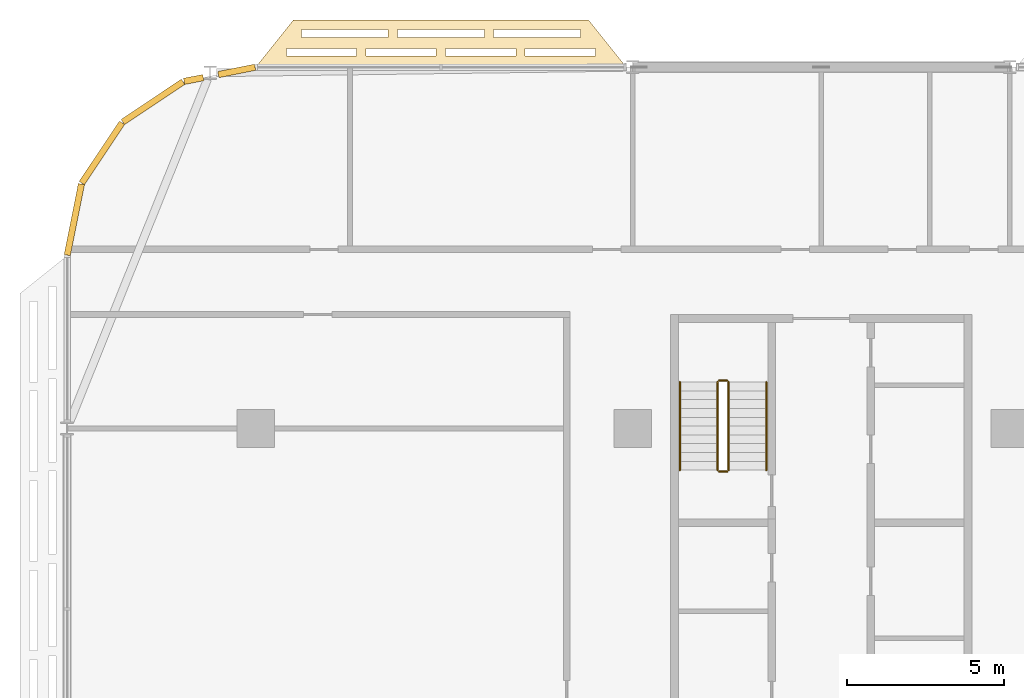
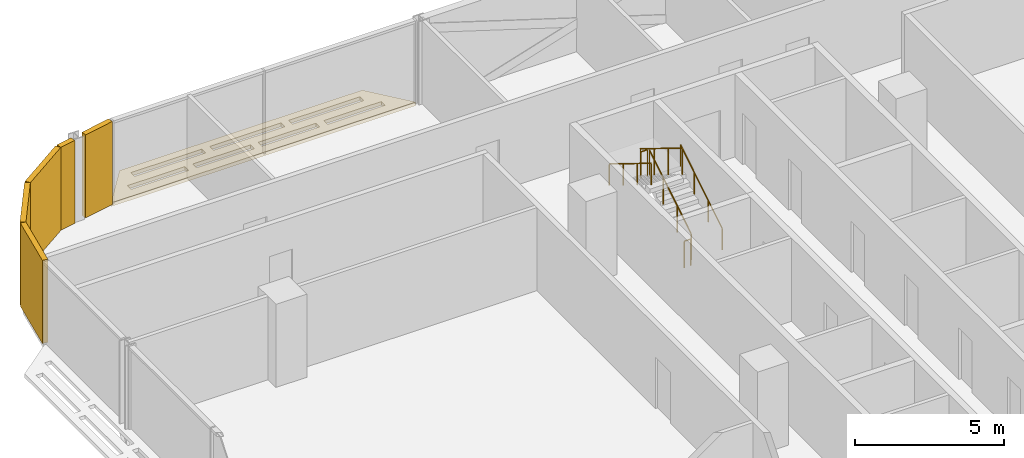
# One storey, part 25 of 28: 6 coverings, 6 railings.
"""IFC4 building model written with IfcOpenShell, lengths in metres."""

from ifc_helpers import new_model, si_unit, direction, frame, origin, origin_2d, place, context, subcontext, project, spatial, polyline, rectangle, circle, outline, extrude, material, layer, layer_set, type_object, element, save


model = new_model("IFC4")

# Units and contexts
model_context = context("Model", 3, precision=1e-05, world=origin(), true_north=direction((0.0, 1.0)))
body_context = subcontext(model_context, "Body", "Model", "MODEL_VIEW")
ifc_project = project(units=[si_unit("LENGTHUNIT", "METRE"), si_unit("AREAUNIT", "SQUARE_METRE"), si_unit("VOLUMEUNIT", "CUBIC_METRE"), si_unit("PLANEANGLEUNIT", "RADIAN"), si_unit("MASSUNIT", "GRAM", prefix="KILO")], contexts=[model_context])

# Site, building, storey
site_placement = place(None, origin())
site = spatial("IfcSite", under=ifc_project, at=site_placement, CompositionType="ELEMENT")
building_placement = place(site_placement, origin())
building = spatial("IfcBuilding", under=site, at=building_placement, Name="Mahtab Terrace Research Tower", CompositionType="ELEMENT")
storey_placement = place(building_placement, frame((0.0, 0.0, 185.800048828125)))
storey = spatial("IfcBuildingStorey", under=building, at=storey_placement, Name="L44", CompositionType="ELEMENT", Elevation=185.800048828125)

# Coverings
ifc_material_1 = material(Name="Black aluminium cladding panel", Category="aluminium")
ifc_layer_1 = layer(ifc_material_1, 0.199951171875)
ifc_layer_set_1 = layer_set([ifc_layer_1], Name="Black metal corner cladding 200")
covering_type_1 = type_object("IfcCoveringType", Name="Black metal corner cladding 200", PredefinedType="CLADDING", material=ifc_layer_set_1)
covering_1_placement = place(storey_placement, frame((-42.603271484375, 22.8798828125, 0.0), z_axis=(0.0, 0.0, 1.0), x_axis=(-0.980760981187, -0.195212442692, 0.0)))
element("IfcCovering", 1, at=covering_1_placement, inside=storey, type_object=covering_type_1, Name="Corner cladding L44 10", PredefinedType="CLADDING", context=body_context, shape_type="SweptSolid", body=[
    extrude(rectangle(XDim=1.1904296875, YDim=0.199951171875, at=origin_2d()), origin(), (0.0, 0.0, 1.0), 3.39990234375),
])
covering_2_placement = place(storey_placement, frame((-43.9716796875, 22.607666015625, 0.0), z_axis=(0.0, 0.0, 1.0), x_axis=(-0.980760981187, -0.195212442692, 0.0)))
element("IfcCovering", 2, at=covering_2_placement, inside=storey, type_object=covering_type_1, Name="Corner cladding L44 11", PredefinedType="CLADDING", context=body_context, shape_type="SweptSolid", body=[
    extrude(rectangle(XDim=0.62158203125, YDim=0.199951171875, at=origin_2d()), origin(), (0.0, 0.0, 1.0), 3.39990234375),
])
for number, where, z_axis, x_axis, name in (
    (3, (-45.26953125, 21.89306640625, 0.0), (0.0, 0.0, 1.0), (-0.831655794326, -0.555291490808, 0.0), "Corner cladding L44 12"),
    (4, (-46.89306640625, 20.26953125, 0.0), (0.0, 0.0, 1.0), (-0.555291490808, -0.831655794326, 0.0), "Corner cladding L44 13"),
    (5, (-47.771484375, 18.14794921875, 0.0), (0.0, 0.0, 1.0), (-0.195212442692, -0.980760981187, 0.0), "Corner cladding L44 14"),
):
    element("IfcCovering", number, at=place(storey_placement, frame(where, z_axis=z_axis, x_axis=x_axis)), inside=storey, type_object=covering_type_1, Name=name, PredefinedType="CLADDING", context=body_context, shape_type="SweptSolid", body=[
        extrude(rectangle(XDim=2.30126953125, YDim=0.199951171875, at=origin_2d()), origin(), (0.0, 0.0, 1.0), 3.39990234375),
    ])
ifc_material_2 = material(Name="Black anodised aluminium", Category="aluminium")
ifc_layer_2 = layer(ifc_material_2, 0.14990234375)
ifc_layer_set_2 = layer_set([ifc_layer_2], Name="Horizontal sunshade band")
covering_type_2 = type_object("IfcCoveringType", Name="Horizontal sunshade band", PredefinedType="CLADDING", material=ifc_layer_set_2)
covering_3_placement = place(storey_placement, frame((0.0, 0.0, -0.150146484375)))
element("IfcCovering", 6, at=covering_3_placement, inside=storey, type_object=covering_type_2, Name="Sunshade band L44 9", PredefinedType="CLADDING", context=body_context, shape_type="SweptSolid", body=[
    extrude(outline(polyline([(-30.2080078125, 23.0), (-42.0, 23.0), (-40.800048828125, 24.5), (-31.407958984375, 24.5), (-30.2080078125, 23.0)]), holes=[polyline([(-31.18798828125, 23.35009765625), (-33.4208984375, 23.35009765625), (-33.4208984375, 23.60009765625), (-31.18798828125, 23.60009765625), (-31.18798828125, 23.35009765625)]), polyline([(-33.720947265625, 23.35009765625), (-35.9541015625, 23.35009765625), (-35.9541015625, 23.60009765625), (-33.720947265625, 23.60009765625), (-33.720947265625, 23.35009765625)]), polyline([(-36.25390625, 23.35009765625), (-38.487060546875, 23.35009765625), (-38.487060546875, 23.60009765625), (-36.25390625, 23.60009765625), (-36.25390625, 23.35009765625)]), polyline([(-38.787109375, 23.35009765625), (-41.02001953125, 23.35009765625), (-41.02001953125, 23.60009765625), (-38.787109375, 23.60009765625), (-38.787109375, 23.35009765625)]), polyline([(-31.66796875, 23.949951171875), (-34.425048828125, 23.949951171875), (-34.425048828125, 24.199951171875), (-31.66796875, 24.199951171875), (-31.66796875, 23.949951171875)]), polyline([(-34.72509765625, 23.949951171875), (-37.48291015625, 23.949951171875), (-37.48291015625, 24.199951171875), (-34.72509765625, 24.199951171875), (-34.72509765625, 23.949951171875)]), polyline([(-37.782958984375, 23.949951171875), (-40.5400390625, 23.949951171875), (-40.5400390625, 24.199951171875), (-37.782958984375, 24.199951171875), (-37.782958984375, 23.949951171875)])]), origin(), (0.0, 0.0, 1.0), 0.150146484375),
])

# Railings
ifc_material_3 = material(Name="Stainless steel AISI 304", Category="steel")
railing_type_1 = type_object("IfcRailingType", Name="Stair guard 1100", PredefinedType="GUARDRAIL", material=ifc_material_3)
railing_1_placement = place(storey_placement, frame((-26.949951171875, 10.175048828125, 0.172607421875)))
element("IfcRailing", 7, at=railing_1_placement, inside=storey, type_object=railing_type_1, Name="L44 ST1 stair guard 1", PredefinedType="GUARDRAIL", context=body_context, shape_type="SweptSolid", body=[
    extrude(circle(Radius=0.02392578125, at=origin_2d()), frame((0.0, 0.0, 1.076171875), z_axis=(0.0, 0.851089632645, 0.525020415988), x_axis=(-1.0, 0.0, 0.0)), (0.0, 0.0, 1.0), 3.2900390625),
    extrude(circle(Radius=0.02099609375, at=origin_2d()), origin(), (0.0, 0.0, 1.0), 1.052001953125),
    extrude(circle(Radius=0.02099609375, at=origin_2d()), frame((0.0, 0.933349609375, 0.57568359375)), (0.0, 0.0, 1.0), 1.052001953125),
    extrude(circle(Radius=0.02099609375, at=origin_2d()), frame((0.0, 1.86669921875, 1.151611328125)), (0.0, 0.0, 1.0), 1.052001953125),
    extrude(circle(Radius=0.02099609375, at=origin_2d()), frame((0.0, 2.800048828125, 1.727294921875)), (0.0, 0.0, 1.0), 1.052001953125),
])
railing_2_placement = place(storey_placement, frame((-27.0, 13.02490234375, 1.89990234375)))
element("IfcRailing", 8, at=railing_2_placement, inside=storey, type_object=railing_type_1, Name="L44 ST1 stair guard 2", PredefinedType="GUARDRAIL", context=body_context, shape_type="SweptSolid", body=[
    extrude(circle(Radius=0.02392578125, at=origin_2d()), frame((0.0, 0.0, 1.076171875), z_axis=(-1.0, 0.0, 0.0), x_axis=(0.0, -1.0, 0.0)), (0.0, 0.0, 1.0), 0.25),
    extrude(circle(Radius=0.02099609375, at=origin_2d()), origin(), (0.0, 0.0, 1.0), 1.052001953125),
    extrude(circle(Radius=0.02099609375, at=origin_2d()), frame((-0.25, 0.0, 0.0)), (0.0, 0.0, 1.0), 1.052001953125),
])
railing_3_placement = place(storey_placement, frame((-27.300048828125, 12.97509765625, 2.07275390625)))
element("IfcRailing", 9, at=railing_3_placement, inside=storey, type_object=railing_type_1, Name="L44 ST1 stair guard 3", PredefinedType="GUARDRAIL", context=body_context, shape_type="SweptSolid", body=[
    extrude(circle(Radius=0.02392578125, at=origin_2d()), frame((0.0, 0.0, 1.076171875), z_axis=(0.0, -0.851089632645, 0.525020415988), x_axis=(1.0, 0.0, 0.0)), (0.0, 0.0, 1.0), 3.2900390625),
    extrude(circle(Radius=0.02099609375, at=origin_2d()), origin(), (0.0, 0.0, 1.0), 1.052001953125),
    extrude(circle(Radius=0.02099609375, at=origin_2d()), frame((0.0, -0.933349609375, 0.57568359375)), (0.0, 0.0, 1.0), 1.052001953125),
    extrude(circle(Radius=0.02099609375, at=origin_2d()), frame((0.0, -1.86669921875, 1.151611328125)), (0.0, 0.0, 1.0), 1.052001953125),
    extrude(circle(Radius=0.02099609375, at=origin_2d()), frame((0.0, -2.800048828125, 1.727294921875)), (0.0, 0.0, 1.0), 1.052001953125),
])
railing_4_placement = place(storey_placement, frame((-27.0, 10.125, 0.0)))
element("IfcRailing", 10, at=railing_4_placement, inside=storey, type_object=railing_type_1, Name="L44 ST1 stair guard 4", PredefinedType="GUARDRAIL", context=body_context, shape_type="SweptSolid", body=[
    extrude(circle(Radius=0.02392578125, at=origin_2d()), frame((0.0, 0.0, 1.076171875), z_axis=(-1.0, 0.0, 0.0), x_axis=(0.0, -1.0, 0.0)), (0.0, 0.0, 1.0), 0.25),
    extrude(circle(Radius=0.02099609375, at=origin_2d()), origin(), (0.0, 0.0, 1.0), 1.052001953125),
    extrude(circle(Radius=0.02099609375, at=origin_2d()), frame((-0.25, 0.0, 0.0)), (0.0, 0.0, 1.0), 1.052001953125),
])
railing_type_2 = type_object("IfcRailingType", Name="Stair handrail 900", PredefinedType="HANDRAIL", material=ifc_material_3)
railing_5_placement = place(storey_placement, frame((-25.75, 10.175048828125, 0.172607421875)))
element("IfcRailing", 11, at=railing_5_placement, inside=storey, type_object=railing_type_2, Name="L44 ST1 stair handrail 1", PredefinedType="HANDRAIL", context=body_context, shape_type="SweptSolid", body=[
    extrude(circle(Radius=0.02392578125, at=origin_2d()), frame((0.0, 0.0, 0.8759765625), z_axis=(0.0, 0.851089632645, 0.525020415988), x_axis=(-1.0, 0.0, 0.0)), (0.0, 0.0, 1.0), 3.2900390625),
    extrude(circle(Radius=0.02099609375, at=origin_2d()), origin(), (0.0, 0.0, 1.0), 0.851806640625),
    extrude(circle(Radius=0.02099609375, at=origin_2d()), frame((0.0, 0.933349609375, 0.57568359375)), (0.0, 0.0, 1.0), 0.851806640625),
    extrude(circle(Radius=0.02099609375, at=origin_2d()), frame((0.0, 1.86669921875, 1.151611328125)), (0.0, 0.0, 1.0), 0.851806640625),
    extrude(circle(Radius=0.02099609375, at=origin_2d()), frame((0.0, 2.800048828125, 1.727294921875)), (0.0, 0.0, 1.0), 0.851806640625),
])
railing_6_placement = place(storey_placement, frame((-28.5, 12.97509765625, 2.07275390625)))
element("IfcRailing", 12, at=railing_6_placement, inside=storey, type_object=railing_type_2, Name="L44 ST1 stair handrail 2", PredefinedType="HANDRAIL", context=body_context, shape_type="SweptSolid", body=[
    extrude(circle(Radius=0.02392578125, at=origin_2d()), frame((0.0, 0.0, 0.8759765625), z_axis=(0.0, -0.851089632645, 0.525020415988), x_axis=(1.0, 0.0, 0.0)), (0.0, 0.0, 1.0), 3.2900390625),
    extrude(circle(Radius=0.02099609375, at=origin_2d()), origin(), (0.0, 0.0, 1.0), 0.851806640625),
    extrude(circle(Radius=0.02099609375, at=origin_2d()), frame((0.0, -0.933349609375, 0.57568359375)), (0.0, 0.0, 1.0), 0.851806640625),
    extrude(circle(Radius=0.02099609375, at=origin_2d()), frame((0.0, -1.86669921875, 1.151611328125)), (0.0, 0.0, 1.0), 0.851806640625),
    extrude(circle(Radius=0.02099609375, at=origin_2d()), frame((0.0, -2.800048828125, 1.727294921875)), (0.0, 0.0, 1.0), 0.851806640625),
])

save(model, "model.ifc")
